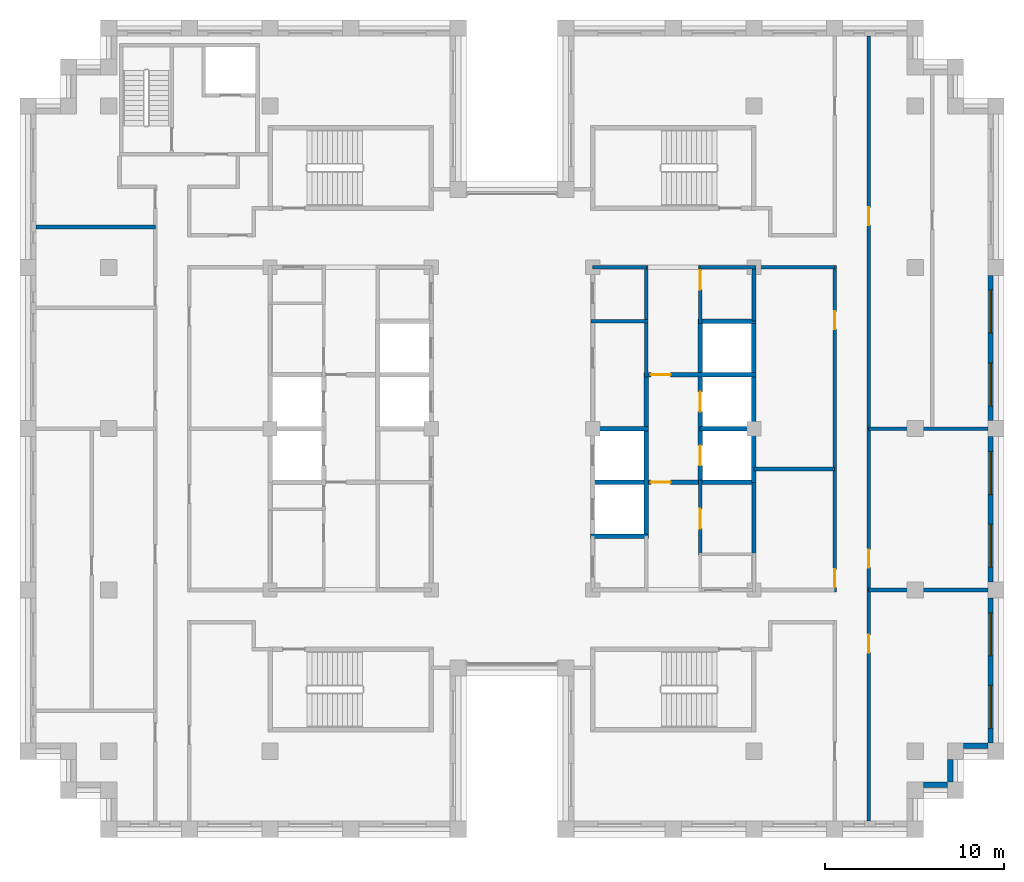
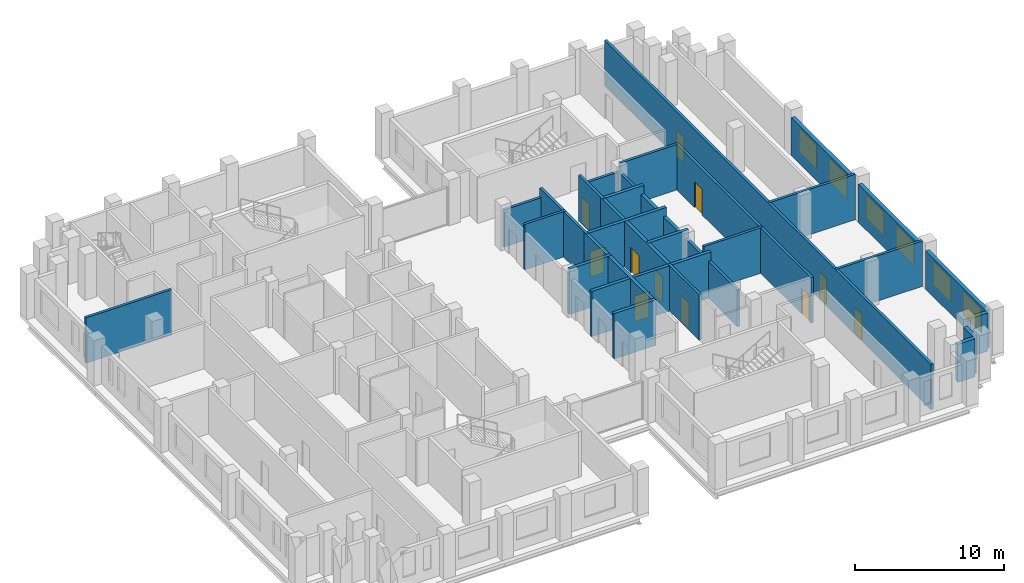
# One storey, part 9 of 13: 30 walls, 11 doors, 6 windows, 17 openings.
"""IFC4 building model written with IfcOpenShell, lengths in metres."""

from ifc_helpers import new_model, si_unit, direction, frame, frame_2d, origin, place, context, subcontext, project, spatial, rectangle, extrude, material, layer, layer_set, type_object, element, fill, save


model = new_model("IFC4")

# Units and contexts
model_context = context("Model", 3, precision=1e-05, world=origin(), true_north=direction((0.0, 1.0)))
body_context = subcontext(model_context, "Body", "Model", "MODEL_VIEW")
ifc_project = project(units=[si_unit("LENGTHUNIT", "METRE"), si_unit("AREAUNIT", "SQUARE_METRE"), si_unit("VOLUMEUNIT", "CUBIC_METRE"), si_unit("PLANEANGLEUNIT", "RADIAN"), si_unit("MASSUNIT", "GRAM", prefix="KILO")], contexts=[model_context])

# Site, building, storey
site_placement = place(None, origin())
site = spatial("IfcSite", under=ifc_project, at=site_placement, CompositionType="ELEMENT")
building_placement = place(site_placement, origin())
building = spatial("IfcBuilding", under=site, at=building_placement, Name="Corbelhall Arena Tower", CompositionType="ELEMENT")
storey_placement = place(building_placement, frame((0.0, 0.0, 274.0)))
storey = spatial("IfcBuildingStorey", under=building, at=storey_placement, Name="L59", CompositionType="ELEMENT", Elevation=274.0)

# Walls
ifc_material_1 = material(Name="Precast concrete C40/50 with granite facing", Category="masonry")
ifc_layer_1 = layer(ifc_material_1, 0.300048828125)
ifc_layer_set_1 = layer_set([ifc_layer_1], Name="EV-IW1 Infill panel 300")
wall_type_1 = type_object("IfcWallType", Name="EV-IW1 Infill panel 300", PredefinedType="SOLIDWALL", material=ifc_layer_set_1)
wall_1_placement = place(storey_placement, frame((22.949951171875, -19.875, 0.0), z_axis=(0.0, 0.0, 1.0), x_axis=(1.0, 0.0, 0.0)))
element("IfcWall", 1, at=wall_1_placement, inside=storey, type_object=wall_type_1, Name="Infill panel IW1", PredefinedType="SOLIDWALL", context=body_context, shape_type="SweptSolid", body=[
    extrude(rectangle(XDim=1.35009765625, YDim=0.300048828125, at=frame_2d((0.675048828125, 0.0))), origin(), (0.0, 0.0, 1.0), 3.1201171875),
])
wall_2_placement = place(storey_placement, frame((24.449951171875, -19.72509765625, 0.0), z_axis=(0.0, 0.0, 1.0), x_axis=(0.0, 1.0, 0.0)))
element("IfcWall", 2, at=wall_2_placement, inside=storey, type_object=wall_type_1, Name="Infill panel IW1", PredefinedType="SOLIDWALL", context=body_context, shape_type="SweptSolid", body=[
    extrude(rectangle(XDim=1.275146484375, YDim=0.300048828125, at=frame_2d((0.6376953125, 0.0))), origin(), (0.0, 0.0, 1.0), 3.1201171875),
])
wall_3_placement = place(storey_placement, frame((25.199951171875, -17.699951171875, 0.0), z_axis=(0.0, 0.0, 1.0), x_axis=(1.0, 0.0, 0.0)))
element("IfcWall", 3, at=wall_3_placement, inside=storey, type_object=wall_type_1, Name="Infill panel IW1", PredefinedType="SOLIDWALL", context=body_context, shape_type="SweptSolid", body=[
    extrude(rectangle(XDim=1.35009765625, YDim=0.300048828125, at=frame_2d((0.675048828125, 0.0))), origin(), (0.0, 0.0, 1.0), 3.1201171875),
])

# Wall, openings, windows
wall_4_placement = place(storey_placement, frame((26.699951171875, -17.550048828125, 0.0), z_axis=(0.0, 0.0, 1.0), x_axis=(0.0, 1.0, 0.0)))
wall_4 = element("IfcWall", 4, at=wall_4_placement, inside=storey, type_object=wall_type_1, Name="Infill panel IW1", PredefinedType="SOLIDWALL", context=body_context, shape_type="SweptSolid", body=[
    extrude(rectangle(XDim=8.10009765625, YDim=0.300048828125, at=frame_2d((4.050048828125, 0.0))), origin(), (0.0, 0.0, 1.0), 3.1201171875),
])
opening_1_placement = place(wall_4_placement, frame((0.824951171875, 0.0, 0.800048828125)))
opening_1 = element("IfcOpeningElement", 5, at=opening_1_placement, cuts=wall_4, Name="Opening WN1", PredefinedType="OPENING", context=body_context, shape_type="SweptSolid", body=[
    extrude(rectangle(XDim=2.39990234375, YDim=1.949951171875, at=frame_2d((1.199951171875, 0.97509765625))), frame((0.0, 0.14990234375, 0.0), z_axis=(0.0, -1.0, 0.0), x_axis=(1.0, 0.0, 0.0)), (0.0, 0.0, 1.0), 0.300048828125),
])
opening_2_placement = place(wall_4_placement, frame((4.875, 0.0, 0.800048828125)))
opening_2 = element("IfcOpeningElement", 6, at=opening_2_placement, cuts=wall_4, Name="Opening WN1", PredefinedType="OPENING", context=body_context, shape_type="SweptSolid", body=[
    extrude(rectangle(XDim=2.39990234375, YDim=1.949951171875, at=frame_2d((1.199951171875, 0.97509765625))), frame((0.0, 0.14990234375, 0.0), z_axis=(0.0, -1.0, 0.0), x_axis=(1.0, 0.0, 0.0)), (0.0, 0.0, 1.0), 0.300048828125),
])
ifc_material_2 = material(Name="Aluminium black anodised", Category="aluminium")
window_type = type_object("IfcWindowType", Name="EV-WN1 Office window", PartitioningType="SINGLE_PANEL", PredefinedType="WINDOW", material=ifc_material_2)
window_1_placement = place(opening_1_placement, origin())
window_1 = element("IfcWindow", 7, at=window_1_placement, inside=storey, type_object=window_type, Name="Window WN1", OverallHeight=1.949951171875, OverallWidth=2.39990234375, PartitioningType="SINGLE_PANEL", PredefinedType="WINDOW", context=body_context, shape_type="SweptSolid", body=[
    extrude(rectangle(XDim=2.39990234375, YDim=1.949951171875, at=frame_2d((1.199951171875, 0.97509765625))), frame((0.0, 0.030029296875, 0.0), z_axis=(0.0, -1.0, 0.0), x_axis=(1.0, 0.0, 0.0)), (0.0, 0.0, 1.0), 0.06005859375),
])
fill(opening_1, window_1)
window_2_placement = place(opening_2_placement, origin())
window_2 = element("IfcWindow", 8, at=window_2_placement, inside=storey, type_object=window_type, Name="Window WN1", OverallHeight=1.949951171875, OverallWidth=2.39990234375, PartitioningType="SINGLE_PANEL", PredefinedType="WINDOW", context=body_context, shape_type="SweptSolid", body=[
    extrude(rectangle(XDim=2.39990234375, YDim=1.949951171875, at=frame_2d((1.199951171875, 0.97509765625))), frame((0.0, 0.030029296875, 0.0), z_axis=(0.0, -1.0, 0.0), x_axis=(1.0, 0.0, 0.0)), (0.0, 0.0, 1.0), 0.06005859375),
])
fill(opening_2, window_2)

wall_5_placement = place(storey_placement, frame((26.699951171875, -8.550048828125, 0.0), z_axis=(0.0, 0.0, 1.0), x_axis=(0.0, 1.0, 0.0)))
wall_5 = element("IfcWall", 9, at=wall_5_placement, inside=storey, type_object=wall_type_1, Name="Infill panel IW1", PredefinedType="SOLIDWALL", context=body_context, shape_type="SweptSolid", body=[
    extrude(rectangle(XDim=8.10009765625, YDim=0.300048828125, at=frame_2d((4.050048828125, 0.0))), origin(), (0.0, 0.0, 1.0), 3.1201171875),
])
opening_3_placement = place(wall_5_placement, frame((0.824951171875, 0.0, 0.800048828125)))
opening_3 = element("IfcOpeningElement", 10, at=opening_3_placement, cuts=wall_5, Name="Opening WN1", PredefinedType="OPENING", context=body_context, shape_type="SweptSolid", body=[
    extrude(rectangle(XDim=2.39990234375, YDim=1.949951171875, at=frame_2d((1.199951171875, 0.97509765625))), frame((0.0, 0.14990234375, 0.0), z_axis=(0.0, -1.0, 0.0), x_axis=(1.0, 0.0, 0.0)), (0.0, 0.0, 1.0), 0.300048828125),
])
opening_4_placement = place(wall_5_placement, frame((4.875, 0.0, 0.800048828125)))
opening_4 = element("IfcOpeningElement", 11, at=opening_4_placement, cuts=wall_5, Name="Opening WN1", PredefinedType="OPENING", context=body_context, shape_type="SweptSolid", body=[
    extrude(rectangle(XDim=2.39990234375, YDim=1.949951171875, at=frame_2d((1.199951171875, 0.97509765625))), frame((0.0, 0.14990234375, 0.0), z_axis=(0.0, -1.0, 0.0), x_axis=(1.0, 0.0, 0.0)), (0.0, 0.0, 1.0), 0.300048828125),
])
window_3_placement = place(opening_3_placement, origin())
window_3 = element("IfcWindow", 12, at=window_3_placement, inside=storey, type_object=window_type, Name="Window WN1", OverallHeight=1.949951171875, OverallWidth=2.39990234375, PartitioningType="SINGLE_PANEL", PredefinedType="WINDOW", context=body_context, shape_type="SweptSolid", body=[
    extrude(rectangle(XDim=2.39990234375, YDim=1.949951171875, at=frame_2d((1.199951171875, 0.97509765625))), frame((0.0, 0.030029296875, 0.0), z_axis=(0.0, -1.0, 0.0), x_axis=(1.0, 0.0, 0.0)), (0.0, 0.0, 1.0), 0.06005859375),
])
fill(opening_3, window_3)
window_4_placement = place(opening_4_placement, origin())
window_4 = element("IfcWindow", 13, at=window_4_placement, inside=storey, type_object=window_type, Name="Window WN1", OverallHeight=1.949951171875, OverallWidth=2.39990234375, PartitioningType="SINGLE_PANEL", PredefinedType="WINDOW", context=body_context, shape_type="SweptSolid", body=[
    extrude(rectangle(XDim=2.39990234375, YDim=1.949951171875, at=frame_2d((1.199951171875, 0.97509765625))), frame((0.0, 0.030029296875, 0.0), z_axis=(0.0, -1.0, 0.0), x_axis=(1.0, 0.0, 0.0)), (0.0, 0.0, 1.0), 0.06005859375),
])
fill(opening_4, window_4)

wall_6_placement = place(storey_placement, frame((26.699951171875, 0.449951171875, 0.0), z_axis=(0.0, 0.0, 1.0), x_axis=(0.0, 1.0, 0.0)))
wall_6 = element("IfcWall", 14, at=wall_6_placement, inside=storey, type_object=wall_type_1, Name="Infill panel IW1", PredefinedType="SOLIDWALL", context=body_context, shape_type="SweptSolid", body=[
    extrude(rectangle(XDim=8.10009765625, YDim=0.300048828125, at=frame_2d((4.050048828125, 0.0))), origin(), (0.0, 0.0, 1.0), 3.1201171875),
])
opening_5_placement = place(wall_6_placement, frame((0.824951171875, 0.0, 0.800048828125)))
opening_5 = element("IfcOpeningElement", 15, at=opening_5_placement, cuts=wall_6, Name="Opening WN1", PredefinedType="OPENING", context=body_context, shape_type="SweptSolid", body=[
    extrude(rectangle(XDim=2.39990234375, YDim=1.949951171875, at=frame_2d((1.199951171875, 0.97509765625))), frame((0.0, 0.14990234375, 0.0), z_axis=(0.0, -1.0, 0.0), x_axis=(1.0, 0.0, 0.0)), (0.0, 0.0, 1.0), 0.300048828125),
])
opening_6_placement = place(wall_6_placement, frame((4.875, 0.0, 0.800048828125)))
opening_6 = element("IfcOpeningElement", 16, at=opening_6_placement, cuts=wall_6, Name="Opening WN1", PredefinedType="OPENING", context=body_context, shape_type="SweptSolid", body=[
    extrude(rectangle(XDim=2.39990234375, YDim=1.949951171875, at=frame_2d((1.199951171875, 0.97509765625))), frame((0.0, 0.14990234375, 0.0), z_axis=(0.0, -1.0, 0.0), x_axis=(1.0, 0.0, 0.0)), (0.0, 0.0, 1.0), 0.300048828125),
])
window_5_placement = place(opening_5_placement, origin())
window_5 = element("IfcWindow", 17, at=window_5_placement, inside=storey, type_object=window_type, Name="Window WN1", OverallHeight=1.949951171875, OverallWidth=2.39990234375, PartitioningType="SINGLE_PANEL", PredefinedType="WINDOW", context=body_context, shape_type="SweptSolid", body=[
    extrude(rectangle(XDim=2.39990234375, YDim=1.949951171875, at=frame_2d((1.199951171875, 0.97509765625))), frame((0.0, 0.030029296875, 0.0), z_axis=(0.0, -1.0, 0.0), x_axis=(1.0, 0.0, 0.0)), (0.0, 0.0, 1.0), 0.06005859375),
])
fill(opening_5, window_5)
window_6_placement = place(opening_6_placement, origin())
window_6 = element("IfcWindow", 18, at=window_6_placement, inside=storey, type_object=window_type, Name="Window WN1", OverallHeight=1.949951171875, OverallWidth=2.39990234375, PartitioningType="SINGLE_PANEL", PredefinedType="WINDOW", context=body_context, shape_type="SweptSolid", body=[
    extrude(rectangle(XDim=2.39990234375, YDim=1.949951171875, at=frame_2d((1.199951171875, 0.97509765625))), frame((0.0, 0.030029296875, 0.0), z_axis=(0.0, -1.0, 0.0), x_axis=(1.0, 0.0, 0.0)), (0.0, 0.0, 1.0), 0.06005859375),
])
fill(opening_6, window_6)

# Walls
ifc_material_3 = material(Name="Gypsum board on steel stud, acoustic", Category="steel")
ifc_layer_2 = layer(ifc_material_3, 0.199951171875)
ifc_layer_set_2 = layer_set([ifc_layer_2], Name="IN-W-DM200")
wall_type_2 = type_object("IfcWallType", Name="IN-W-DM200", PredefinedType="PARTITIONING", material=ifc_layer_set_2)
wall_7_placement = place(storey_placement, frame((-26.550048828125, 11.25, 0.0), z_axis=(0.0, 0.0, 1.0), x_axis=(1.0, 0.0, 0.0)))
element("IfcWall", 19, at=wall_7_placement, inside=storey, type_object=wall_type_2, Name="Partition 003", PredefinedType="PARTITIONING", context=body_context, shape_type="SweptSolid", body=[
    extrude(rectangle(XDim=6.650146484375, YDim=0.199951171875, at=frame_2d((3.3251953125, 0.0))), origin(), (0.0, 0.0, 1.0), 3.719970703125),
])
for number, where, z_axis, x_axis, name in (
    (20, (13.5, -2.25, 0.0), (0.0, 0.0, 1.0), (1.0, 0.0, 0.0), "Partition 029"),
    (21, (18.0, 9.0, 0.0), (0.0, 0.0, 1.0), (-1.0, 0.0, 0.0), "Partition 032"),
):
    element("IfcWall", number, at=place(storey_placement, frame(where, z_axis=z_axis, x_axis=x_axis)), inside=storey, type_object=wall_type_2, Name=name, PredefinedType="PARTITIONING", context=body_context, shape_type="SweptSolid", body=[
        extrude(rectangle(XDim=4.5, YDim=0.199951171875, at=frame_2d((2.25, 0.0))), origin(), (0.0, 0.0, 1.0), 3.719970703125),
    ])

# Wall, openings, doors
wall_8_placement = place(storey_placement, frame((18.0, -9.10009765625, 0.0), z_axis=(0.0, 0.0, 1.0), x_axis=(0.0, 1.0, 0.0)))
wall_8 = element("IfcWall", 22, at=wall_8_placement, inside=storey, type_object=wall_type_2, Name="Partition 037", PredefinedType="PARTITIONING", context=body_context, shape_type="SweptSolid", body=[
    extrude(rectangle(XDim=18.2001953125, YDim=0.199951171875, at=frame_2d((9.10009765625, 0.0))), origin(), (0.0, 0.0, 1.0), 3.719970703125),
])
opening_7_placement = place(wall_8_placement, frame((0.25, 0.0, 0.0)))
opening_7 = element("IfcOpeningElement", 23, at=opening_7_placement, cuts=wall_8, Name="Opening 18024", PredefinedType="OPENING", context=body_context, shape_type="SweptSolid", body=[
    extrude(rectangle(XDim=1.0, YDim=2.10009765625, at=frame_2d((0.5, 1.050048828125))), frame((0.0, 0.10009765625, 0.0), z_axis=(0.0, -1.0, 0.0), x_axis=(1.0, 0.0, 0.0)), (0.0, 0.0, 1.0), 0.199951171875),
])
opening_8_placement = place(wall_8_placement, frame((14.64990234375, 0.0, 0.0)))
opening_8 = element("IfcOpeningElement", 24, at=opening_8_placement, cuts=wall_8, Name="Opening 18025", PredefinedType="OPENING", context=body_context, shape_type="SweptSolid", body=[
    extrude(rectangle(XDim=1.0, YDim=2.10009765625, at=frame_2d((0.5, 1.050048828125))), frame((0.0, 0.10009765625, 0.0), z_axis=(0.0, -1.0, 0.0), x_axis=(1.0, 0.0, 0.0)), (0.0, 0.0, 1.0), 0.199951171875),
])
ifc_material_4 = material(Name="Steel door set", Category="steel")
door_type_1 = type_object("IfcDoorType", Name="IN-D-SW100", OperationType="NOTDEFINED", PredefinedType="DOOR", material=ifc_material_4)
door_1_placement = place(opening_7_placement, origin())
door_1 = element("IfcDoor", 25, at=door_1_placement, inside=storey, type_object=door_type_1, Name="Door 024", OperationType="SINGLE_SWING_LEFT", OverallHeight=2.10009765625, OverallWidth=1.0, PredefinedType="DOOR", context=body_context, shape_type="SweptSolid", body=[
    extrude(rectangle(XDim=1.0, YDim=2.10009765625, at=frame_2d((0.5, 1.050048828125))), frame((0.0, 0.02490234375, 0.0), z_axis=(0.0, -1.0, 0.0), x_axis=(1.0, 0.0, 0.0)), (0.0, 0.0, 1.0), 0.050048828125),
])
fill(opening_7, door_1)
door_2_placement = place(opening_8_placement, origin())
door_2 = element("IfcDoor", 26, at=door_2_placement, inside=storey, type_object=door_type_1, Name="Door 025", OperationType="SINGLE_SWING_RIGHT", OverallHeight=2.10009765625, OverallWidth=1.0, PredefinedType="DOOR", context=body_context, shape_type="SweptSolid", body=[
    extrude(rectangle(XDim=1.0, YDim=2.10009765625, at=frame_2d((0.5, 1.050048828125))), frame((0.0, 0.02490234375, 0.0), z_axis=(0.0, -1.0, 0.0), x_axis=(1.0, 0.0, 0.0)), (0.0, 0.0, 1.0), 0.050048828125),
])
fill(opening_8, door_2)

wall_9_placement = place(storey_placement, frame((19.89990234375, 21.89990234375, 0.0), z_axis=(0.0, 0.0, 1.0), x_axis=(0.0, -1.0, 0.0)))
wall_9 = element("IfcWall", 27, at=wall_9_placement, inside=storey, type_object=wall_type_2, Name="Partition 039", PredefinedType="PARTITIONING", context=body_context, shape_type="SweptSolid", body=[
    extrude(rectangle(XDim=43.7998046875, YDim=0.199951171875, at=frame_2d((21.89990234375, 0.0))), origin(), (0.0, 0.0, 1.0), 3.719970703125),
])
opening_9_placement = place(wall_9_placement, frame((9.550048828125, 0.0, 0.0)))
opening_9 = element("IfcOpeningElement", 28, at=opening_9_placement, cuts=wall_9, Name="Opening 18036", PredefinedType="OPENING", context=body_context, shape_type="SweptSolid", body=[
    extrude(rectangle(XDim=1.0, YDim=2.10009765625, at=frame_2d((0.5, 1.050048828125))), frame((0.0, 0.10009765625, 0.0), z_axis=(0.0, -1.0, 0.0), x_axis=(1.0, 0.0, 0.0)), (0.0, 0.0, 1.0), 0.199951171875),
])
opening_10_placement = place(wall_9_placement, frame((33.39990234375, 0.0, 0.0)))
opening_10 = element("IfcOpeningElement", 29, at=opening_10_placement, cuts=wall_9, Name="Opening 18038", PredefinedType="OPENING", context=body_context, shape_type="SweptSolid", body=[
    extrude(rectangle(XDim=1.0, YDim=2.10009765625, at=frame_2d((0.5, 1.050048828125))), frame((0.0, 0.10009765625, 0.0), z_axis=(0.0, -1.0, 0.0), x_axis=(1.0, 0.0, 0.0)), (0.0, 0.0, 1.0), 0.199951171875),
])
opening_11_placement = place(wall_9_placement, frame((28.64990234375, 0.0, 0.0)))
opening_11 = element("IfcOpeningElement", 30, at=opening_11_placement, cuts=wall_9, Name="Opening 18039", PredefinedType="OPENING", context=body_context, shape_type="SweptSolid", body=[
    extrude(rectangle(XDim=1.0, YDim=2.10009765625, at=frame_2d((0.5, 1.050048828125))), frame((0.0, 0.10009765625, 0.0), z_axis=(0.0, -1.0, 0.0), x_axis=(1.0, 0.0, 0.0)), (0.0, 0.0, 1.0), 0.199951171875),
])
door_3_placement = place(opening_9_placement, origin())
door_3 = element("IfcDoor", 31, at=door_3_placement, inside=storey, type_object=door_type_1, Name="Door 036", OperationType="SINGLE_SWING_LEFT", OverallHeight=2.10009765625, OverallWidth=1.0, PredefinedType="DOOR", context=body_context, shape_type="SweptSolid", body=[
    extrude(rectangle(XDim=1.0, YDim=2.10009765625, at=frame_2d((0.5, 1.050048828125))), frame((0.0, 0.02490234375, 0.0), z_axis=(0.0, -1.0, 0.0), x_axis=(1.0, 0.0, 0.0)), (0.0, 0.0, 1.0), 0.050048828125),
])
fill(opening_9, door_3)
door_4_placement = place(opening_10_placement, origin())
door_4 = element("IfcDoor", 32, at=door_4_placement, inside=storey, type_object=door_type_1, Name="Door 038", OperationType="SINGLE_SWING_LEFT", OverallHeight=2.10009765625, OverallWidth=1.0, PredefinedType="DOOR", context=body_context, shape_type="SweptSolid", body=[
    extrude(rectangle(XDim=1.0, YDim=2.10009765625, at=frame_2d((0.5, 1.050048828125))), frame((0.0, 0.02490234375, 0.0), z_axis=(0.0, -1.0, 0.0), x_axis=(1.0, 0.0, 0.0)), (0.0, 0.0, 1.0), 0.050048828125),
])
fill(opening_10, door_4)
door_5_placement = place(opening_11_placement, origin())
door_5 = element("IfcDoor", 33, at=door_5_placement, inside=storey, type_object=door_type_1, Name="Door 039", OperationType="SINGLE_SWING_RIGHT", OverallHeight=2.10009765625, OverallWidth=1.0, PredefinedType="DOOR", context=body_context, shape_type="SweptSolid", body=[
    extrude(rectangle(XDim=1.0, YDim=2.10009765625, at=frame_2d((0.5, 1.050048828125))), frame((0.0, 0.02490234375, 0.0), z_axis=(0.0, -1.0, 0.0), x_axis=(1.0, 0.0, 0.0)), (0.0, 0.0, 1.0), 0.050048828125),
])
fill(opening_11, door_5)

# Walls
for number, where, z_axis, x_axis, name in (
    (34, (19.89990234375, -9.0, 0.0), (0.0, 0.0, 1.0), (1.0, 0.0, 0.0), "Partition 040"),
    (35, (26.550048828125, 0.0, 0.0), (0.0, 0.0, 1.0), (-1.0, 0.0, 0.0), "Partition 041"),
):
    element("IfcWall", number, at=place(storey_placement, frame(where, z_axis=z_axis, x_axis=x_axis)), inside=storey, type_object=wall_type_2, Name=name, PredefinedType="PARTITIONING", context=body_context, shape_type="SweptSolid", body=[
        extrude(rectangle(XDim=6.650146484375, YDim=0.199951171875, at=frame_2d((3.3251953125, 0.0))), origin(), (0.0, 0.0, 1.0), 3.719970703125),
    ])
ifc_material_5 = material(Name="Concrete block wall", Category="concrete")
ifc_layer_3 = layer(ifc_material_5, 0.199951171875)
ifc_layer_set_3 = layer_set([ifc_layer_3], Name="IN-W-RS200")
wall_type_3 = type_object("IfcWallType", Name="IN-W-RS200", PredefinedType="SOLIDWALL", material=ifc_layer_set_3)
wall_10_placement = place(storey_placement, frame((4.39990234375, 6.0, 0.0), z_axis=(0.0, 0.0, 1.0), x_axis=(1.0, 0.0, 0.0)))
element("IfcWall", 36, at=wall_10_placement, inside=storey, type_object=wall_type_3, Name="Partition 055", PredefinedType="SOLIDWALL", context=body_context, shape_type="SweptSolid", body=[
    extrude(rectangle(XDim=3.2001953125, YDim=0.199951171875, at=frame_2d((1.60009765625, 0.0))), origin(), (0.0, 0.0, 1.0), 3.719970703125),
])
wall_11_placement = place(storey_placement, frame((7.5, 9.10009765625, 0.0), z_axis=(0.0, 0.0, 1.0), x_axis=(0.0, -1.0, 0.0)))
element("IfcWall", 37, at=wall_11_placement, inside=storey, type_object=wall_type_3, Name="Partition 061", PredefinedType="SOLIDWALL", context=body_context, shape_type="SweptSolid", body=[
    extrude(rectangle(XDim=6.22509765625, YDim=0.199951171875, at=frame_2d((3.112548828125, 0.0))), origin(), (0.0, 0.0, 1.0), 3.719970703125),
])

# Wall, opening, door
wall_12_placement = place(storey_placement, frame((10.5, -2.875, 0.0), z_axis=(0.0, 0.0, 1.0), x_axis=(0.0, -1.0, 0.0)))
wall_12 = element("IfcWall", 38, at=wall_12_placement, inside=storey, type_object=wall_type_3, Name="Partition 062", PredefinedType="SOLIDWALL", context=body_context, shape_type="SweptSolid", body=[
    extrude(rectangle(XDim=4.199951171875, YDim=0.199951171875, at=frame_2d((2.10009765625, 0.0))), origin(), (0.0, 0.0, 1.0), 3.719970703125),
])
opening_12_placement = place(wall_12_placement, frame((1.60009765625, 0.0, 0.0)))
opening_12 = element("IfcOpeningElement", 39, at=opening_12_placement, cuts=wall_12, Name="Opening 18016", PredefinedType="OPENING", context=body_context, shape_type="SweptSolid", body=[
    extrude(rectangle(XDim=1.10009765625, YDim=2.10009765625, at=frame_2d((0.550048828125, 1.050048828125))), frame((0.0, 0.10009765625, 0.0), z_axis=(0.0, -1.0, 0.0), x_axis=(1.0, 0.0, 0.0)), (0.0, 0.0, 1.0), 0.199951171875),
])
door_type_2 = type_object("IfcDoorType", Name="IN-D-FD110", OperationType="NOTDEFINED", PredefinedType="DOOR", material=ifc_material_4)
door_6_placement = place(opening_12_placement, origin())
door_6 = element("IfcDoor", 40, at=door_6_placement, inside=storey, type_object=door_type_2, Name="Door 016", OperationType="SINGLE_SWING_LEFT", OverallHeight=2.10009765625, OverallWidth=1.10009765625, PredefinedType="DOOR", context=body_context, shape_type="SweptSolid", body=[
    extrude(rectangle(XDim=1.10009765625, YDim=2.10009765625, at=frame_2d((0.550048828125, 1.050048828125))), frame((0.0, 0.02490234375, 0.0), z_axis=(0.0, -1.0, 0.0), x_axis=(1.0, 0.0, 0.0)), (0.0, 0.0, 1.0), 0.050048828125),
])
fill(opening_12, door_6)

wall_13_placement = place(storey_placement, frame((10.5, 9.10009765625, 0.0), z_axis=(0.0, 0.0, 1.0), x_axis=(0.0, -1.0, 0.0)))
wall_13 = element("IfcWall", 41, at=wall_13_placement, inside=storey, type_object=wall_type_3, Name="Partition 064", PredefinedType="SOLIDWALL", context=body_context, shape_type="SweptSolid", body=[
    extrude(rectangle(XDim=3.22509765625, YDim=0.199951171875, at=frame_2d((1.612548828125, 0.0))), origin(), (0.0, 0.0, 1.0), 3.719970703125),
])
opening_13_placement = place(wall_13_placement, frame((0.25, 0.0, 0.0)))
opening_13 = element("IfcOpeningElement", 42, at=opening_13_placement, cuts=wall_13, Name="Opening 18017", PredefinedType="OPENING", context=body_context, shape_type="SweptSolid", body=[
    extrude(rectangle(XDim=1.10009765625, YDim=2.10009765625, at=frame_2d((0.550048828125, 1.050048828125))), frame((0.0, 0.10009765625, 0.0), z_axis=(0.0, -1.0, 0.0), x_axis=(1.0, 0.0, 0.0)), (0.0, 0.0, 1.0), 0.199951171875),
])
door_7_placement = place(opening_13_placement, origin())
door_7 = element("IfcDoor", 43, at=door_7_placement, inside=storey, type_object=door_type_2, Name="Door 017", OperationType="SINGLE_SWING_RIGHT", OverallHeight=2.10009765625, OverallWidth=1.10009765625, PredefinedType="DOOR", context=body_context, shape_type="SweptSolid", body=[
    extrude(rectangle(XDim=1.10009765625, YDim=2.10009765625, at=frame_2d((0.550048828125, 1.050048828125))), frame((0.0, 0.02490234375, 0.0), z_axis=(0.0, -1.0, 0.0), x_axis=(1.0, 0.0, 0.0)), (0.0, 0.0, 1.0), 0.050048828125),
])
fill(opening_13, door_7)

# Walls
ifc_layer_4 = layer(ifc_material_5, 0.199951171875)
ifc_layer_set_4 = layer_set([ifc_layer_4], Name="IN-W-RS200 under beam 678 mm")
wall_type_4 = type_object("IfcWallType", Name="IN-W-RS200 under beam 678 mm", PredefinedType="SOLIDWALL", material=ifc_layer_set_4)
wall_14_placement = place(storey_placement, frame((4.5, 9.0, 0.0), z_axis=(0.0, 0.0, 1.0), x_axis=(1.0, 0.0, 0.0)))
element("IfcWall", 44, at=wall_14_placement, inside=storey, type_object=wall_type_4, Name="Partition 058", PredefinedType="SOLIDWALL", context=body_context, shape_type="SweptSolid", body=[
    extrude(rectangle(XDim=3.0, YDim=0.199951171875, at=frame_2d((1.5, 0.0))), origin(), (0.0, 0.0, 1.0), 3.041748046875),
])
wall_15_placement = place(storey_placement, frame((10.5, 9.0, 0.0), z_axis=(0.0, 0.0, 1.0), x_axis=(1.0, 0.0, 0.0)))
element("IfcWall", 45, at=wall_15_placement, inside=storey, type_object=wall_type_4, Name="Partition 063", PredefinedType="SOLIDWALL", context=body_context, shape_type="SweptSolid", body=[
    extrude(rectangle(XDim=3.10009765625, YDim=0.199951171875, at=frame_2d((1.550048828125, 0.0))), origin(), (0.0, 0.0, 1.0), 3.041748046875),
])
wall_16_placement = place(storey_placement, frame((13.5, -3.0, 0.0), z_axis=(0.0, 0.0, 1.0), x_axis=(0.0, -1.0, 0.0)))
element("IfcWall", 46, at=wall_16_placement, inside=storey, type_object=wall_type_4, Name="Partition 065", PredefinedType="SOLIDWALL", context=body_context, shape_type="SweptSolid", body=[
    extrude(rectangle(XDim=4.0, YDim=0.199951171875, at=frame_2d((2.0, 0.0))), origin(), (0.0, 0.0, 1.0), 3.041748046875),
])
wall_17_placement = place(storey_placement, frame((13.5, 9.10009765625, 0.0), z_axis=(0.0, 0.0, 1.0), x_axis=(0.0, -1.0, 0.0)))
element("IfcWall", 47, at=wall_17_placement, inside=storey, type_object=wall_type_4, Name="Partition 066", PredefinedType="SOLIDWALL", context=body_context, shape_type="SweptSolid", body=[
    extrude(rectangle(XDim=3.10009765625, YDim=0.199951171875, at=frame_2d((1.550048828125, 0.0))), origin(), (0.0, 0.0, 1.0), 3.041748046875),
])
ifc_material_6 = material(Name="Concrete C40/50", Category="concrete")
ifc_layer_5 = layer(ifc_material_6, 0.25)
ifc_layer_set_5 = layer_set([ifc_layer_5], Name="IN-W-SH250")
wall_type_5 = type_object("IfcWallType", Name="IN-W-SH250", PredefinedType="SOLIDWALL", material=ifc_layer_set_5)
wall_18_placement = place(storey_placement, frame((4.375, -6.0, 0.0), z_axis=(0.0, 0.0, 1.0), x_axis=(1.0, 0.0, 0.0)))
element("IfcWall", 48, at=wall_18_placement, inside=storey, type_object=wall_type_5, Name="Shaft wall 076", PredefinedType="SOLIDWALL", context=body_context, shape_type="SweptSolid", body=[
    extrude(rectangle(XDim=3.25, YDim=0.25, at=frame_2d((1.625, 0.0))), origin(), (0.0, 0.0, 1.0), 3.719970703125),
])

# Wall, opening, door
wall_19_placement = place(storey_placement, frame((4.375, -3.0, 0.0), z_axis=(0.0, 0.0, 1.0), x_axis=(1.0, 0.0, 0.0)))
wall_19 = element("IfcWall", 49, at=wall_19_placement, inside=storey, type_object=wall_type_5, Name="Shaft wall 077", PredefinedType="SOLIDWALL", context=body_context, shape_type="SweptSolid", body=[
    extrude(rectangle(XDim=9.25, YDim=0.25, at=frame_2d((4.625, 0.0))), origin(), (0.0, 0.0, 1.0), 3.719970703125),
])
opening_14_placement = place(wall_19_placement, frame((3.375, 0.0, 0.0)))
opening_14 = element("IfcOpeningElement", 50, at=opening_14_placement, cuts=wall_19, Name="Opening 18013", PredefinedType="OPENING", context=body_context, shape_type="SweptSolid", body=[
    extrude(rectangle(XDim=1.10009765625, YDim=2.10009765625, at=frame_2d((0.550048828125, 1.050048828125))), frame((0.0, 0.125, 0.0), z_axis=(0.0, -1.0, 0.0), x_axis=(1.0, 0.0, 0.0)), (0.0, 0.0, 1.0), 0.25),
])
door_8_placement = place(opening_14_placement, origin())
door_8 = element("IfcDoor", 51, at=door_8_placement, inside=storey, type_object=door_type_2, Name="Door 013", OperationType="SINGLE_SWING_RIGHT", OverallHeight=2.10009765625, OverallWidth=1.10009765625, PredefinedType="DOOR", context=body_context, shape_type="SweptSolid", body=[
    extrude(rectangle(XDim=1.10009765625, YDim=2.10009765625, at=frame_2d((0.550048828125, 1.050048828125))), frame((0.0, 0.02490234375, 0.0), z_axis=(0.0, -1.0, 0.0), x_axis=(1.0, 0.0, 0.0)), (0.0, 0.0, 1.0), 0.050048828125),
])
fill(opening_14, door_8)

# Walls
wall_20_placement = place(storey_placement, frame((4.375, 0.0, 0.0), z_axis=(0.0, 0.0, 1.0), x_axis=(1.0, 0.0, 0.0)))
element("IfcWall", 52, at=wall_20_placement, inside=storey, type_object=wall_type_5, Name="Shaft wall 078", PredefinedType="SOLIDWALL", context=body_context, shape_type="SweptSolid", body=[
    extrude(rectangle(XDim=3.25, YDim=0.25, at=frame_2d((1.625, 0.0))), origin(), (0.0, 0.0, 1.0), 3.719970703125),
])
wall_21_placement = place(storey_placement, frame((7.5, 3.125, 0.0), z_axis=(0.0, 0.0, 1.0), x_axis=(0.0, -1.0, 0.0)))
element("IfcWall", 53, at=wall_21_placement, inside=storey, type_object=wall_type_5, Name="Shaft wall 080", PredefinedType="SOLIDWALL", context=body_context, shape_type="SweptSolid", body=[
    extrude(rectangle(XDim=9.125, YDim=0.25, at=frame_2d((4.5625, 0.0))), origin(), (0.0, 0.0, 1.0), 3.719970703125),
])

# Wall, opening, door
wall_22_placement = place(storey_placement, frame((7.5, 3.0, 0.0), z_axis=(0.0, 0.0, 1.0), x_axis=(1.0, 0.0, 0.0)))
wall_22 = element("IfcWall", 54, at=wall_22_placement, inside=storey, type_object=wall_type_5, Name="Shaft wall 081", PredefinedType="SOLIDWALL", context=body_context, shape_type="SweptSolid", body=[
    extrude(rectangle(XDim=6.125, YDim=0.25, at=frame_2d((3.0625, 0.0))), origin(), (0.0, 0.0, 1.0), 3.719970703125),
])
opening_15_placement = place(wall_22_placement, frame((0.25, 0.0, 0.0)))
opening_15 = element("IfcOpeningElement", 55, at=opening_15_placement, cuts=wall_22, Name="Opening 18014", PredefinedType="OPENING", context=body_context, shape_type="SweptSolid", body=[
    extrude(rectangle(XDim=1.10009765625, YDim=2.10009765625, at=frame_2d((0.550048828125, 1.050048828125))), frame((0.0, 0.125, 0.0), z_axis=(0.0, -1.0, 0.0), x_axis=(1.0, 0.0, 0.0)), (0.0, 0.0, 1.0), 0.25),
])
door_9_placement = place(opening_15_placement, origin())
door_9 = element("IfcDoor", 56, at=door_9_placement, inside=storey, type_object=door_type_2, Name="Door 014", OperationType="SINGLE_SWING_LEFT", OverallHeight=2.10009765625, OverallWidth=1.10009765625, PredefinedType="DOOR", context=body_context, shape_type="SweptSolid", body=[
    extrude(rectangle(XDim=1.10009765625, YDim=2.10009765625, at=frame_2d((0.550048828125, 1.050048828125))), frame((0.0, 0.02490234375, 0.0), z_axis=(0.0, -1.0, 0.0), x_axis=(1.0, 0.0, 0.0)), (0.0, 0.0, 1.0), 0.050048828125),
])
fill(opening_15, door_9)

# Wall
wall_23_placement = place(storey_placement, frame((10.5, 0.0, 0.0), z_axis=(0.0, 0.0, 1.0), x_axis=(1.0, 0.0, 0.0)))
element("IfcWall", 57, at=wall_23_placement, inside=storey, type_object=wall_type_5, Name="Shaft wall 082", PredefinedType="SOLIDWALL", context=body_context, shape_type="SweptSolid", body=[
    extrude(rectangle(XDim=3.125, YDim=0.25, at=frame_2d((1.5625, 0.0))), origin(), (0.0, 0.0, 1.0), 3.719970703125),
])

# Wall, openings, doors
wall_24_placement = place(storey_placement, frame((10.5, 6.125, 0.0), z_axis=(0.0, 0.0, 1.0), x_axis=(0.0, -1.0, 0.0)))
wall_24 = element("IfcWall", 58, at=wall_24_placement, inside=storey, type_object=wall_type_5, Name="Shaft wall 083", PredefinedType="SOLIDWALL", context=body_context, shape_type="SweptSolid", body=[
    extrude(rectangle(XDim=9.25, YDim=0.25, at=frame_2d((4.625, 0.0))), origin(), (0.0, 0.0, 1.0), 3.719970703125),
])
opening_16_placement = place(wall_24_placement, frame((7.074951171875, 0.0, 0.0)))
opening_16 = element("IfcOpeningElement", 59, at=opening_16_placement, cuts=wall_24, Name="Opening LD", PredefinedType="OPENING", context=body_context, shape_type="SweptSolid", body=[
    extrude(rectangle(XDim=1.10009765625, YDim=2.10009765625, at=frame_2d((0.550048828125, 1.050048828125))), frame((0.0, 0.125, 0.0), z_axis=(0.0, -1.0, 0.0), x_axis=(1.0, 0.0, 0.0)), (0.0, 0.0, 1.0), 0.25),
])
opening_17_placement = place(wall_24_placement, frame((4.074951171875, 0.0, 0.0)))
opening_17 = element("IfcOpeningElement", 60, at=opening_17_placement, cuts=wall_24, Name="Opening LD", PredefinedType="OPENING", context=body_context, shape_type="SweptSolid", body=[
    extrude(rectangle(XDim=1.10009765625, YDim=2.10009765625, at=frame_2d((0.550048828125, 1.050048828125))), frame((0.0, 0.125, 0.0), z_axis=(0.0, -1.0, 0.0), x_axis=(1.0, 0.0, 0.0)), (0.0, 0.0, 1.0), 0.25),
])
door_type_3 = type_object("IfcDoorType", Name="IN-D-LD110", OperationType="NOTDEFINED", PredefinedType="DOOR", material=ifc_material_4)
door_10_placement = place(opening_16_placement, origin())
door_10 = element("IfcDoor", 61, at=door_10_placement, inside=storey, type_object=door_type_3, Name="Landing door E3", OperationType="SLIDING_TO_LEFT", OverallHeight=2.10009765625, OverallWidth=1.10009765625, PredefinedType="DOOR", context=body_context, shape_type="SweptSolid", body=[
    extrude(rectangle(XDim=1.10009765625, YDim=2.10009765625, at=frame_2d((0.550048828125, 1.050048828125))), frame((0.0, 0.02490234375, 0.0), z_axis=(0.0, -1.0, 0.0), x_axis=(1.0, 0.0, 0.0)), (0.0, 0.0, 1.0), 0.050048828125),
])
fill(opening_16, door_10)
door_11_placement = place(opening_17_placement, origin())
door_11 = element("IfcDoor", 62, at=door_11_placement, inside=storey, type_object=door_type_3, Name="Landing door E4", OperationType="SLIDING_TO_LEFT", OverallHeight=2.10009765625, OverallWidth=1.10009765625, PredefinedType="DOOR", context=body_context, shape_type="SweptSolid", body=[
    extrude(rectangle(XDim=1.10009765625, YDim=2.10009765625, at=frame_2d((0.550048828125, 1.050048828125))), frame((0.0, 0.02490234375, 0.0), z_axis=(0.0, -1.0, 0.0), x_axis=(1.0, 0.0, 0.0)), (0.0, 0.0, 1.0), 0.050048828125),
])
fill(opening_17, door_11)

# Walls
wall_25_placement = place(storey_placement, frame((10.5, 6.0, 0.0), z_axis=(0.0, 0.0, 1.0), x_axis=(1.0, 0.0, 0.0)))
element("IfcWall", 63, at=wall_25_placement, inside=storey, type_object=wall_type_5, Name="Shaft wall 084", PredefinedType="SOLIDWALL", context=body_context, shape_type="SweptSolid", body=[
    extrude(rectangle(XDim=3.125, YDim=0.25, at=frame_2d((1.5625, 0.0))), origin(), (0.0, 0.0, 1.0), 3.719970703125),
])
ifc_layer_6 = layer(ifc_material_6, 0.25)
ifc_layer_set_6 = layer_set([ifc_layer_6], Name="IN-W-SH250 under beam 678 mm")
wall_type_6 = type_object("IfcWallType", Name="IN-W-SH250 under beam 678 mm", PredefinedType="SOLIDWALL", material=ifc_layer_set_6)
wall_26_placement = place(storey_placement, frame((13.5, 6.0, 0.0), z_axis=(0.0, 0.0, 1.0), x_axis=(0.0, -1.0, 0.0)))
element("IfcWall", 64, at=wall_26_placement, inside=storey, type_object=wall_type_6, Name="Shaft wall 085", PredefinedType="SOLIDWALL", context=body_context, shape_type="SweptSolid", body=[
    extrude(rectangle(XDim=9.0, YDim=0.25, at=frame_2d((4.5, 0.0))), origin(), (0.0, 0.0, 1.0), 3.041748046875),
])

save(model, "model.ifc")
